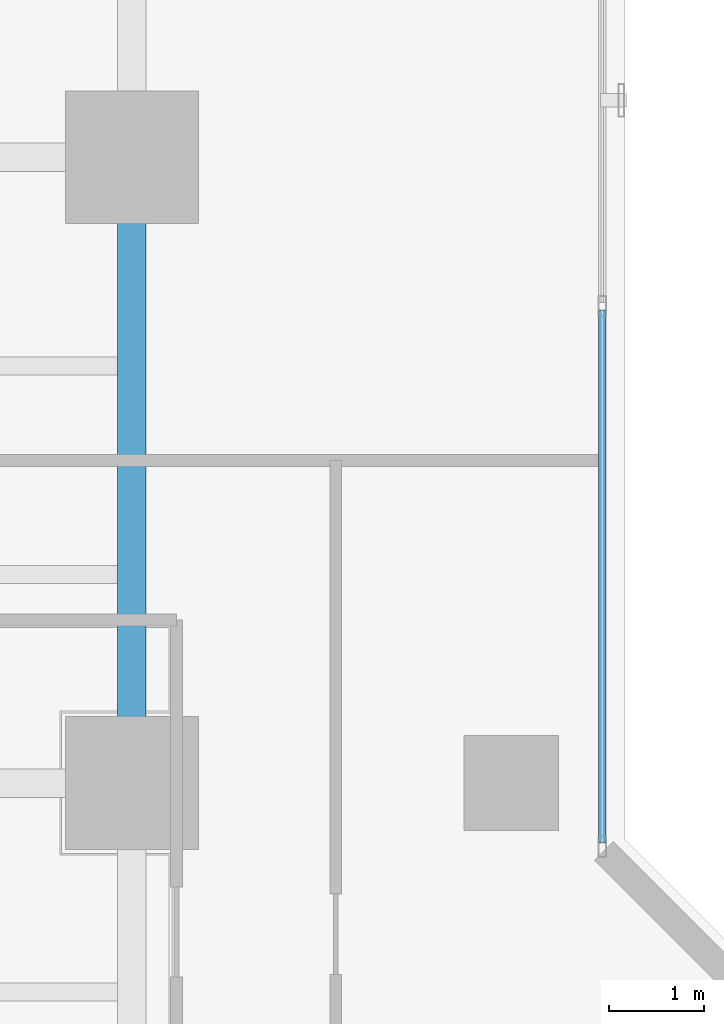
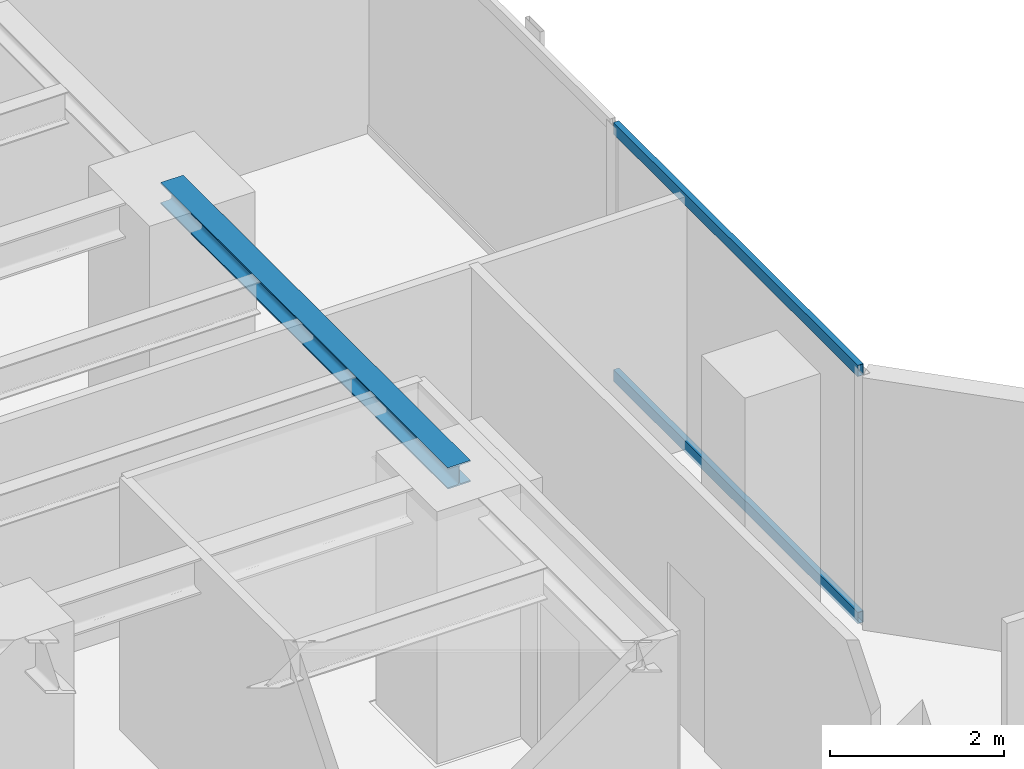
# One storey, part 10 of 28: 2 members, 1 beam, 1 element without a shape of its own.
"""IFC4 building model written with IfcOpenShell, lengths in metres."""

from ifc_helpers import new_model, si_unit, direction, frame, origin, origin_with_axes, origin_2d, place, context, subcontext, project, spatial, hollow_rectangle, i_section, extrude, source, transform, mapped, material, layer, layer_set, material_profile, profile_set, type_object, element, aggregate, save


model = new_model("IFC4")

# Units and contexts
model_context = context("Model", 3, precision=1e-05, world=origin(), true_north=direction((0.0, 1.0)))
body_context = subcontext(model_context, "Body", "Model", "MODEL_VIEW")
ifc_project = project(units=[si_unit("LENGTHUNIT", "METRE"), si_unit("AREAUNIT", "SQUARE_METRE"), si_unit("VOLUMEUNIT", "CUBIC_METRE"), si_unit("PLANEANGLEUNIT", "RADIAN"), si_unit("MASSUNIT", "GRAM", prefix="KILO")], contexts=[model_context])

# Site, building, storey
site_placement = place(None, origin())
site = spatial("IfcSite", under=ifc_project, at=site_placement, CompositionType="ELEMENT")
building_placement = place(site_placement, origin())
building = spatial("IfcBuilding", under=site, at=building_placement, Name="Kolvaren Waterfront Exchange", CompositionType="ELEMENT")
storey_placement = place(building_placement, frame((0.0, 0.0, 133.5)))
storey = spatial("IfcBuildingStorey", under=building, at=storey_placement, Name="L34", CompositionType="ELEMENT", Elevation=133.5)

# Beam
ifc_material_1 = material(Name="Steel S355", Category="steel")
ifc_material_profile_1 = material_profile(ifc_material_1, i_section(OverallWidth=0.300048828125, OverallDepth=0.300048828125, WebThickness=0.010986328125, FlangeThickness=0.01904296875, FilletRadius=0.027099609375, at=origin_2d()), Name="HEB300")
ifc_profile_set_1 = profile_set([ifc_material_profile_1], Name="Steel S355")
beam_type = type_object("IfcBeamType", Name="STR-BM-HEB300", PredefinedType="SPANDREL", material=ifc_profile_set_1)
beam_placement = place(storey_placement, frame((18.800048828125, 31.199951171875, 3.389892578125), z_axis=(0.0, 1.0, 0.0), x_axis=(-1.0, 0.0, 0.0)))
element("IfcBeam", 1, at=beam_placement, inside=storey, type_object=beam_type, Name="L34 north-arm edge beam 2", PredefinedType="SPANDREL", context=body_context, shape_type="SweptSolid", body=[
    extrude(i_section(OverallWidth=0.300048828125, OverallDepth=0.300048828125, WebThickness=0.010986328125, FlangeThickness=0.01904296875, FilletRadius=0.027099609375, at=origin_2d()), origin(), (0.0, 0.0, 1.0), 6.60009765625),
])

# Curtain wall, members
ifc_material_2 = material(Name="Anodised bronze aluminium 6063-T6", Category="aluminium")
ifc_layer = layer(ifc_material_2, 0.219970703125, Name="Anodised bronze aluminium 6063-T6")
ifc_layer_set = layer_set([ifc_layer], Name="Anodised bronze aluminium 6063-T6")
curtain_wall_type = type_object("IfcCurtainWallType", Name="ARC-CW-SYS1", PredefinedType="USERDEFINED", material=ifc_layer_set)
curtain_wall_placement = place(storey_placement, origin())
curtain_wall = element("IfcCurtainWall", 2, at=curtain_wall_placement, inside=storey, type_object=curtain_wall_type, Name="L34 stick curtain wall CW1 (CW-L34-NE)", ObjectType="STICK CURTAIN WALL", PredefinedType="USERDEFINED")
ifc_material_3 = material(Name="Anodised aluminium 6063-T6", Category="aluminium")
ifc_material_profile_2 = material_profile(ifc_material_3, hollow_rectangle(XDim=0.074951171875, YDim=0.159912109375, WallThickness=0.00439453125, at=origin_2d()), Name="ALU-TRN-160x75x4.5")
ifc_profile_set_2 = profile_set([ifc_material_profile_2], Name="Anodised aluminium 6063-T6")
member_type = type_object("IfcMemberType", Name="ARC-CWT-160", PredefinedType="USERDEFINED", material=ifc_profile_set_2)
shared_shape = source(origin_with_axes(), body_context, "Body", "SweptSolid", [
    extrude(hollow_rectangle(XDim=0.074951171875, YDim=0.159912109375, WallThickness=0.00439453125, at=origin_2d()), origin(), (0.0, 0.0, 1.0), 5.61669921875),
])
member_1_placement = place(storey_placement, frame((23.760009765625, 30.570068359375, 0.03759765625), z_axis=(0.0, 1.0, 0.0), x_axis=(-1.0, 0.0, 0.0)))
member_1 = element("IfcMember", 3, at=member_1_placement, type_object=member_type, Name="CW1 transom 1.1", ObjectType="TRANSOM", PredefinedType="USERDEFINED", context=body_context, shape_type="MappedRepresentation", body=[
    mapped(shared_shape, transform((0.0, 0.0, 0.0), x_axis=(1.0, 0.0, 0.0), y_axis=(0.0, 1.0, 0.0), z_axis=(0.0, 0.0, 1.0), scale=1.0)),
])
member_2_placement = place(storey_placement, frame((23.760009765625, 30.570068359375, 3.50244140625), z_axis=(0.0, 1.0, 0.0), x_axis=(-1.0, 0.0, 0.0)))
member_2 = element("IfcMember", 4, at=member_2_placement, type_object=member_type, Name="CW1 transom 1.2", ObjectType="TRANSOM", PredefinedType="USERDEFINED", context=body_context, shape_type="MappedRepresentation", body=[
    mapped(shared_shape, transform((0.0, 0.0, 0.0), x_axis=(1.0, 0.0, 0.0), y_axis=(0.0, 1.0, 0.0), z_axis=(0.0, 0.0, 1.0), scale=1.0)),
])
aggregate(curtain_wall, [member_1, member_2])

save(model, "model.ifc")
